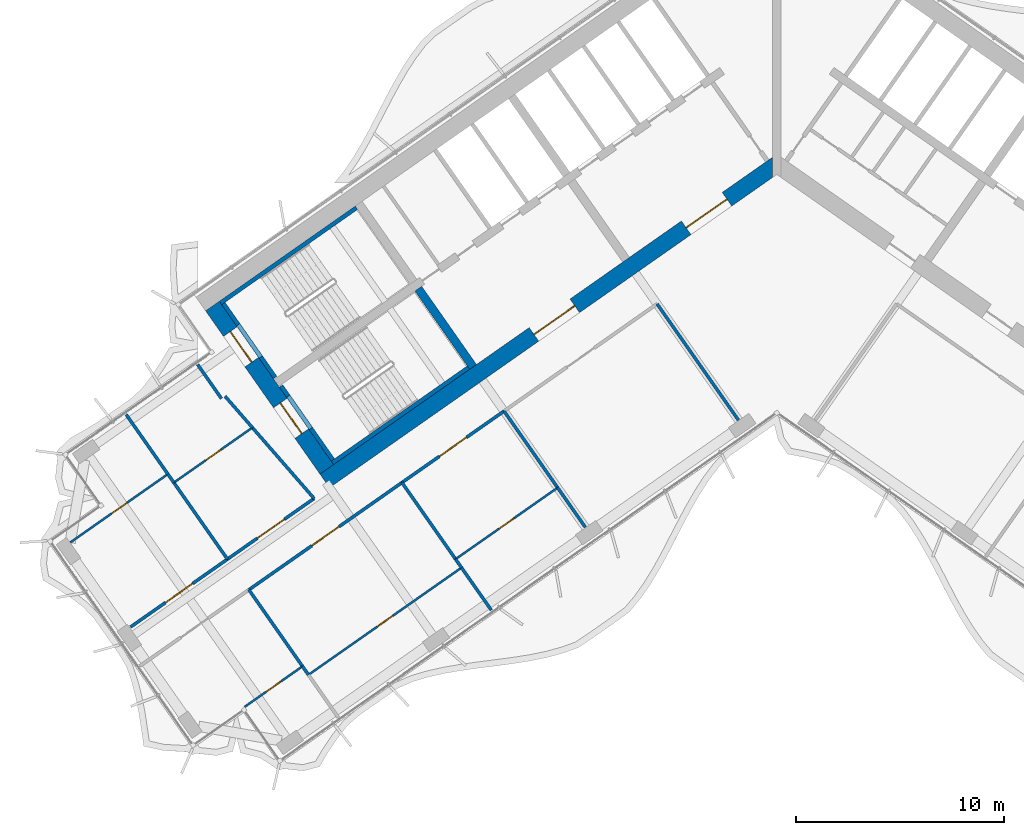
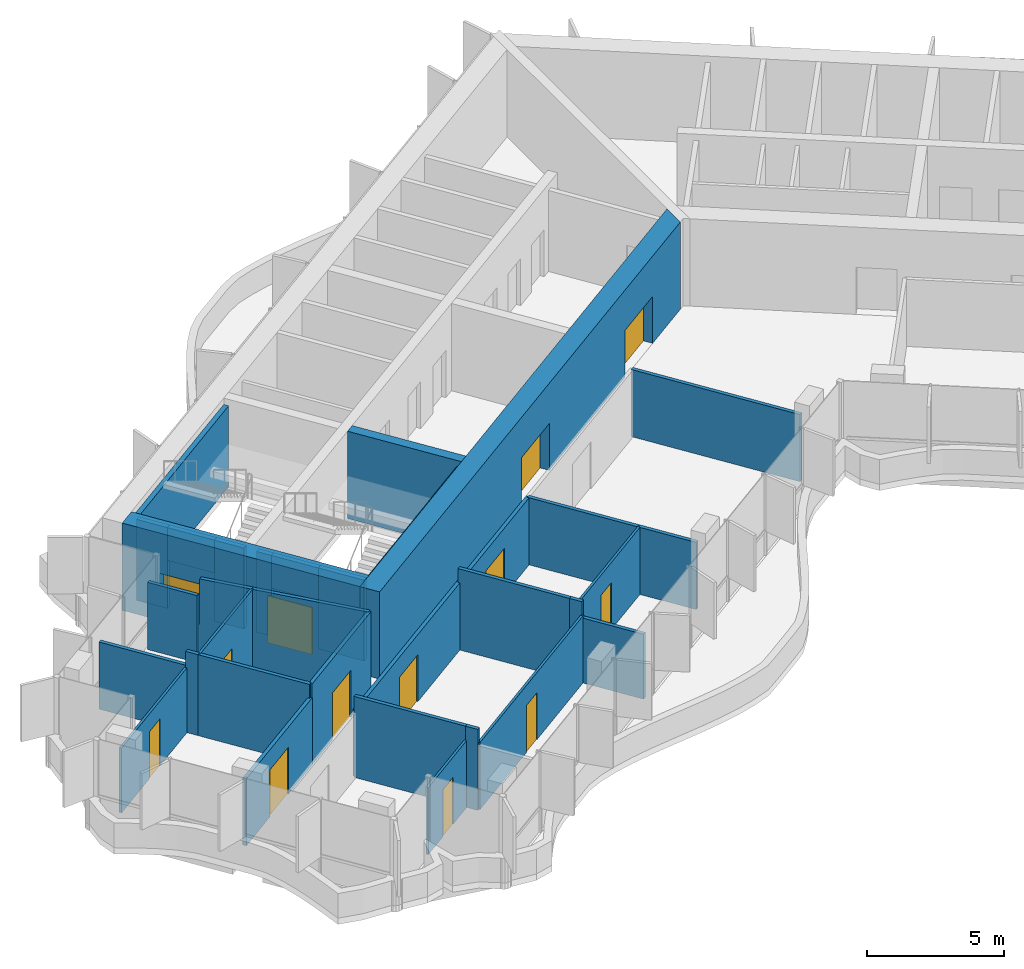
# One storey, part 12 of 21: 34 walls, 13 doors, 13 openings.
"""IFC4 building model written with IfcOpenShell, lengths in metres."""

from ifc_helpers import new_model, si_unit, direction, frame, frame_2d, origin, place, context, subcontext, project, spatial, polyline, rectangle, outline, extrude, material, layer, layer_set, type_object, element, fill, save


model = new_model("IFC4")

# Units and contexts
model_context = context("Model", 3, precision=1e-05, world=origin(), true_north=direction((0.0, 1.0)))
body_context = subcontext(model_context, "Body", "Model", "MODEL_VIEW")
ifc_project = project(units=[si_unit("LENGTHUNIT", "METRE"), si_unit("AREAUNIT", "SQUARE_METRE"), si_unit("VOLUMEUNIT", "CUBIC_METRE"), si_unit("PLANEANGLEUNIT", "RADIAN"), si_unit("MASSUNIT", "GRAM", prefix="KILO")], contexts=[model_context])

# Site, building, storey
site_placement = place(None, origin())
site = spatial("IfcSite", under=ifc_project, at=site_placement, CompositionType="ELEMENT")
building_placement = place(site_placement, origin())
building = spatial("IfcBuilding", under=site, at=building_placement, Name="Tel Ilan Convention Tower", CompositionType="ELEMENT")
storey_placement = place(building_placement, frame((0.0, 0.0, 206.10009765625)))
storey = spatial("IfcBuildingStorey", under=building, at=storey_placement, Name="L48", CompositionType="ELEMENT", Elevation=206.10009765625)

# Wall
ifc_material_1 = material(Name="Concrete C50/60", Category="concrete")
ifc_layer_1 = layer(ifc_material_1, 0.39990234375)
ifc_layer_set_1 = layer_set([ifc_layer_1], Name="Core Shear Wall 400 mm C50/60")
wall_type_1 = type_object("IfcWallType", Name="Core Shear Wall 400 mm C50/60", PredefinedType="SHEAR", material=ifc_layer_set_1)
wall_1_placement = place(storey_placement, frame((-14.6298828125, -10.48828125, 0.0), z_axis=(0.0, 0.0, 1.0), x_axis=(-0.573611936273, 0.819127185829, 0.0)))
element("IfcWall", 1, at=wall_1_placement, inside=storey, type_object=wall_type_1, Name="L48 core wall W-cross2-1", PredefinedType="SHEAR", context=body_context, shape_type="SweptSolid", body=[
    extrude(outline(polyline([(4.60009765625, 0.199951171875), (0.000244140625, 0.2001953125), (0.000244140625, -0.199951171875), (4.60009765625, -0.2001953125), (4.60009765625, 0.199951171875)])), origin(), (0.0, 0.0, 1.0), 3.89990234375),
])

# Wall, openings, doors
ifc_material_2 = material(Name="Concrete C50/60", Category="concrete")
ifc_layer_2 = layer(ifc_material_2, 0.800048828125)
ifc_layer_set_2 = layer_set([ifc_layer_2], Name="Core Shear Wall 800 mm C50/60")
wall_type_2 = type_object("IfcWallType", Name="Core Shear Wall 800 mm C50/60", PredefinedType="SHEAR", material=ifc_layer_set_2)
wall_2_placement = place(storey_placement, frame((0.029296875, -0.7119140625, 0.0), z_axis=(0.0, 0.0, 1.0), x_axis=(-0.819151758019, -0.573576845187, 0.0)))
wall_2 = element("IfcWall", 2, at=wall_2_placement, inside=storey, type_object=wall_type_2, Name="L48 core wall W-front", PredefinedType="SHEAR", context=body_context, shape_type="SweptSolid", body=[
    extrude(outline(polyline([(26.61572265625, 0.39990234375), (0.56005859375, 0.39990234375), (-0.000244140625, -0.39990234375), (26.61572265625, -0.39990234375), (26.61572265625, 0.39990234375)])), origin(), (0.0, 0.0, 1.0), 3.89990234375),
])
opening_1_placement = place(wall_2_placement, frame((2.9658203125, 0.0, 0.0)))
opening_1 = element("IfcOpeningElement", 3, at=opening_1_placement, cuts=wall_2, Name="Opening CD3805", PredefinedType="OPENING", context=body_context, shape_type="SweptSolid", body=[
    extrude(rectangle(XDim=2.39990234375, YDim=2.10009765625, at=frame_2d((1.199951171875, 1.050048828125))), frame((0.0, 0.409912109375, 0.0), z_axis=(0.0, -1.0, 0.0), x_axis=(1.0, 0.0, 0.0)), (0.0, 0.0, 1.0), 0.820068359375),
])
opening_2_placement = place(wall_2_placement, frame((11.915771484375, 0.0, 0.0)))
opening_2 = element("IfcOpeningElement", 4, at=opening_2_placement, cuts=wall_2, Name="Opening CD3806", PredefinedType="OPENING", context=body_context, shape_type="SweptSolid", body=[
    extrude(rectangle(XDim=2.39990234375, YDim=2.10009765625, at=frame_2d((1.199951171875, 1.050048828125))), frame((0.0, 0.409912109375, 0.0), z_axis=(0.0, -1.0, 0.0), x_axis=(1.0, 0.0, 0.0)), (0.0, 0.0, 1.0), 0.820068359375),
])
ifc_material_3 = material(Name="Glazed Aluminium Door Leaf", Category="aluminium")
door_type_1 = type_object("IfcDoorType", Name="Lobby Opening Door 2400 x 2100 FD60S", OperationType="NOTDEFINED", PredefinedType="DOOR", material=ifc_material_3)
door_1_placement = place(opening_1_placement, origin())
door_1 = element("IfcDoor", 5, at=door_1_placement, inside=storey, type_object=door_type_1, Name="Lift Lobby LR1-LR4 opening", OperationType="DOUBLE_DOOR_SINGLE_SWING", OverallHeight=2.10009765625, OverallWidth=2.39990234375, PredefinedType="DOOR", context=body_context, shape_type="SweptSolid", body=[
    extrude(rectangle(XDim=2.39990234375, YDim=2.10009765625, at=frame_2d((1.199951171875, 1.050048828125))), frame((0.0, 0.02490234375, 0.0), z_axis=(0.0, -1.0, 0.0), x_axis=(1.0, 0.0, 0.0)), (0.0, 0.0, 1.0), 0.050048828125),
])
fill(opening_1, door_1)
door_2_placement = place(opening_2_placement, origin())
door_2 = element("IfcDoor", 6, at=door_2_placement, inside=storey, type_object=door_type_1, Name="Lift Lobby LR5-LR6 opening", OperationType="DOUBLE_DOOR_SINGLE_SWING", OverallHeight=2.10009765625, OverallWidth=2.39990234375, PredefinedType="DOOR", context=body_context, shape_type="SweptSolid", body=[
    extrude(rectangle(XDim=2.39990234375, YDim=2.10009765625, at=frame_2d((1.199951171875, 1.050048828125))), frame((0.0, 0.02490234375, 0.0), z_axis=(0.0, -1.0, 0.0), x_axis=(1.0, 0.0, 0.0)), (0.0, 0.0, 1.0), 0.050048828125),
])
fill(opening_2, door_2)

wall_3_placement = place(storey_placement, frame((-21.6748046875, -15.4208984375, 0.0), z_axis=(0.0, 0.0, 1.0), x_axis=(-0.573581815061, 0.819148278049, 0.0)))
wall_3 = element("IfcWall", 7, at=wall_3_placement, inside=storey, type_object=wall_type_2, Name="L48 core wall W-end", PredefinedType="SHEAR", context=body_context, shape_type="SweptSolid", body=[
    extrude(outline(polyline([(0.0, 0.39990234375), (0.0, -0.39990234375), (9.599853515625, -0.400146484375), (9.599853515625, 0.39990234375), (0.0, 0.39990234375)])), origin(), (0.0, 0.0, 1.0), 3.89990234375),
])
opening_3_placement = place(wall_3_placement, frame((6.300048828125, 0.0, 0.0)))
opening_3 = element("IfcOpeningElement", 8, at=opening_3_placement, cuts=wall_3, Name="Opening SD3801", PredefinedType="OPENING", context=body_context, shape_type="SweptSolid", body=[
    extrude(rectangle(XDim=1.800048828125, YDim=2.10009765625, at=frame_2d((0.89990234375, 1.050048828125))), frame((0.0, 0.409912109375, 0.0), z_axis=(0.0, -1.0, 0.0), x_axis=(1.0, 0.0, 0.0)), (0.0, 0.0, 1.0), 0.820068359375),
])
opening_4_placement = place(wall_3_placement, frame((2.10009765625, 0.0, 0.0)))
opening_4 = element("IfcOpeningElement", 9, at=opening_4_placement, cuts=wall_3, Name="Opening SD3802", PredefinedType="OPENING", context=body_context, shape_type="SweptSolid", body=[
    extrude(rectangle(XDim=1.800048828125, YDim=2.10009765625, at=frame_2d((0.89990234375, 1.050048828125))), frame((0.0, 0.409912109375, 0.0), z_axis=(0.0, -1.0, 0.0), x_axis=(1.0, 0.0, 0.0)), (0.0, 0.0, 1.0), 0.820068359375),
])
ifc_material_4 = material(Name="Galvanised Steel Door Leaf", Category="steel")
door_type_2 = type_object("IfcDoorType", Name="Stair Fire Door 1800 x 2100 FD60S", OperationType="NOTDEFINED", PredefinedType="DOOR", material=ifc_material_4)
door_3_placement = place(opening_3_placement, origin())
door_3 = element("IfcDoor", 10, at=door_3_placement, inside=storey, type_object=door_type_2, Name="Stair S1 door", OperationType="DOUBLE_DOOR_SINGLE_SWING", OverallHeight=2.10009765625, OverallWidth=1.800048828125, PredefinedType="DOOR", context=body_context, shape_type="SweptSolid", body=[
    extrude(rectangle(XDim=1.800048828125, YDim=2.10009765625, at=frame_2d((0.89990234375, 1.050048828125))), frame((0.0, 0.02490234375, 0.0), z_axis=(0.0, -1.0, 0.0), x_axis=(1.0, 0.0, 0.0)), (0.0, 0.0, 1.0), 0.050048828125),
])
fill(opening_3, door_3)
door_4_placement = place(opening_4_placement, origin())
door_4 = element("IfcDoor", 11, at=door_4_placement, inside=storey, type_object=door_type_2, Name="Stair S2 door", OperationType="DOUBLE_DOOR_SINGLE_SWING", OverallHeight=2.10009765625, OverallWidth=1.800048828125, PredefinedType="DOOR", context=body_context, shape_type="SweptSolid", body=[
    extrude(rectangle(XDim=1.800048828125, YDim=2.10009765625, at=frame_2d((0.89990234375, 1.050048828125))), frame((0.0, 0.02490234375, 0.0), z_axis=(0.0, -1.0, 0.0), x_axis=(1.0, 0.0, 0.0)), (0.0, 0.0, 1.0), 0.050048828125),
])
fill(opening_4, door_4)

# Wall, opening, door
ifc_material_5 = material(Name="Plasterboard on Steel Studs", Category="steel")
ifc_layer_3 = layer(ifc_material_5, 0.14990234375)
ifc_layer_set_3 = layer_set([ifc_layer_3], Name="Fire-rated Partition 150 EI 60")
wall_type_3 = type_object("IfcWallType", Name="Fire-rated Partition 150 EI 60", PredefinedType="PARTITIONING", material=ifc_layer_set_3)
wall_4_placement = place(storey_placement, frame((-26.460205078125, -19.748291015625, 0.0), z_axis=(0.0, 0.0, 1.0), x_axis=(0.819171182807, 0.573549102744, 0.0)))
wall_4 = element("IfcWall", 12, at=wall_4_placement, inside=storey, type_object=wall_type_3, Name="Partition 008", PredefinedType="PARTITIONING", context=body_context, shape_type="SweptSolid", body=[
    extrude(rectangle(XDim=5.09912109375, YDim=0.14990234375, at=frame_2d((2.549560546875, 0.0))), origin(), (0.0, 0.0, 1.0), 3.619873046875),
])
opening_5_placement = place(wall_4_placement, frame((1.74951171875, 0.0, 0.0)))
opening_5 = element("IfcOpeningElement", 13, at=opening_5_placement, cuts=wall_4, Name="Opening L48-008", PredefinedType="OPENING", context=body_context, shape_type="SweptSolid", body=[
    extrude(rectangle(XDim=1.60009765625, YDim=2.10009765625, at=frame_2d((0.800048828125, 1.050048828125))), frame((0.0, 0.0849609375, 0.0), z_axis=(0.0, -1.0, 0.0), x_axis=(1.0, 0.0, 0.0)), (0.0, 0.0, 1.0), 0.169921875),
])
ifc_material_6 = material(Name="Timber Door Leaf in Steel Frame", Category="steel")
door_type_3 = type_object("IfcDoorType", Name="Tenant Suite Entrance Fire Door 1600x2100", OperationType="NOTDEFINED", PredefinedType="DOOR", material=ifc_material_6)
door_5_placement = place(opening_5_placement, origin())
door_5 = element("IfcDoor", 14, at=door_5_placement, inside=storey, type_object=door_type_3, Name="Door L48-008", OperationType="DOUBLE_DOOR_SINGLE_SWING", OverallHeight=2.10009765625, OverallWidth=1.60009765625, PredefinedType="DOOR", context=body_context, shape_type="SweptSolid", body=[
    extrude(rectangle(XDim=1.60009765625, YDim=2.10009765625, at=frame_2d((0.800048828125, 1.050048828125))), frame((0.0, 0.02490234375, 0.0), z_axis=(0.0, -1.0, 0.0), x_axis=(1.0, 0.0, 0.0)), (0.0, 0.0, 1.0), 0.050048828125),
])
fill(opening_5, door_5)

wall_5_placement = place(storey_placement, frame((-31.127685546875, -23.0166015625, 0.0), z_axis=(0.0, 0.0, 1.0), x_axis=(0.819159500015, 0.573565788323, 0.0)))
wall_5 = element("IfcWall", 15, at=wall_5_placement, inside=storey, type_object=wall_type_3, Name="Partition 009", PredefinedType="PARTITIONING", context=body_context, shape_type="SweptSolid", body=[
    extrude(rectangle(XDim=5.7021484375, YDim=0.14990234375, at=frame_2d((2.85107421875, 0.0))), origin(), (0.0, 0.0, 1.0), 3.0),
])
opening_6_placement = place(wall_5_placement, frame((2.051025390625, 0.0, 0.0)))
opening_6 = element("IfcOpeningElement", 16, at=opening_6_placement, cuts=wall_5, Name="Opening L48-010", PredefinedType="OPENING", context=body_context, shape_type="SweptSolid", body=[
    extrude(rectangle(XDim=1.60009765625, YDim=2.10009765625, at=frame_2d((0.800048828125, 1.050048828125))), frame((0.0, 0.0849609375, 0.0), z_axis=(0.0, -1.0, 0.0), x_axis=(1.0, 0.0, 0.0)), (0.0, 0.0, 1.0), 0.169921875),
])
door_6_placement = place(opening_6_placement, origin())
door_6 = element("IfcDoor", 17, at=door_6_placement, inside=storey, type_object=door_type_3, Name="Door L48-010", OperationType="DOUBLE_DOOR_SINGLE_SWING", OverallHeight=2.10009765625, OverallWidth=1.60009765625, PredefinedType="DOOR", context=body_context, shape_type="SweptSolid", body=[
    extrude(rectangle(XDim=1.60009765625, YDim=2.10009765625, at=frame_2d((0.800048828125, 1.050048828125))), frame((0.0, 0.02490234375, 0.0), z_axis=(0.0, -1.0, 0.0), x_axis=(1.0, 0.0, 0.0)), (0.0, 0.0, 1.0), 0.050048828125),
])
fill(opening_6, door_6)

wall_6_placement = place(storey_placement, frame((-13.13720703125, -12.616943359375, 0.0), z_axis=(0.0, 0.0, 1.0), x_axis=(-0.819165052243, -0.573557858619, 0.0)))
wall_6 = element("IfcWall", 18, at=wall_6_placement, inside=storey, type_object=wall_type_3, Name="Partition 011", PredefinedType="PARTITIONING", context=body_context, shape_type="SweptSolid", body=[
    extrude(rectangle(XDim=6.00390625, YDim=0.14990234375, at=frame_2d((3.001953125, 0.0))), origin(), (0.0, 0.0, 1.0), 3.0),
])
opening_7_placement = place(wall_6_placement, frame((2.201904296875, 0.0, 0.0)))
opening_7 = element("IfcOpeningElement", 19, at=opening_7_placement, cuts=wall_6, Name="Opening L48-002", PredefinedType="OPENING", context=body_context, shape_type="SweptSolid", body=[
    extrude(rectangle(XDim=1.60009765625, YDim=2.10009765625, at=frame_2d((0.800048828125, 1.050048828125))), frame((0.0, 0.0849609375, 0.0), z_axis=(0.0, -1.0, 0.0), x_axis=(1.0, 0.0, 0.0)), (0.0, 0.0, 1.0), 0.169921875),
])
door_7_placement = place(opening_7_placement, origin())
door_7 = element("IfcDoor", 20, at=door_7_placement, inside=storey, type_object=door_type_3, Name="Door L48-002", OperationType="DOUBLE_DOOR_SINGLE_SWING", OverallHeight=2.10009765625, OverallWidth=1.60009765625, PredefinedType="DOOR", context=body_context, shape_type="SweptSolid", body=[
    extrude(rectangle(XDim=1.60009765625, YDim=2.10009765625, at=frame_2d((0.800048828125, 1.050048828125))), frame((0.0, 0.02490234375, 0.0), z_axis=(0.0, -1.0, 0.0), x_axis=(1.0, 0.0, 0.0)), (0.0, 0.0, 1.0), 0.050048828125),
])
fill(opening_7, door_7)

wall_7_placement = place(storey_placement, frame((-18.052001953125, -16.058349609375, 0.0), z_axis=(0.0, 0.0, 1.0), x_axis=(-0.819142740634, -0.573589723117, 0.0)))
wall_7 = element("IfcWall", 21, at=wall_7_placement, inside=storey, type_object=wall_type_3, Name="Partition 012", PredefinedType="PARTITIONING", context=body_context, shape_type="SweptSolid", body=[
    extrude(rectangle(XDim=9.00390625, YDim=0.14990234375, at=frame_2d((4.501953125, 0.0))), origin(), (0.0, 0.0, 1.0), 3.0),
])
opening_8_placement = place(wall_7_placement, frame((3.701904296875, 0.0, 0.0)))
opening_8 = element("IfcOpeningElement", 22, at=opening_8_placement, cuts=wall_7, Name="Opening L48-004", PredefinedType="OPENING", context=body_context, shape_type="SweptSolid", body=[
    extrude(rectangle(XDim=1.60009765625, YDim=2.10009765625, at=frame_2d((0.800048828125, 1.050048828125))), frame((0.0, 0.0849609375, 0.0), z_axis=(0.0, -1.0, 0.0), x_axis=(1.0, 0.0, 0.0)), (0.0, 0.0, 1.0), 0.169921875),
])
door_8_placement = place(opening_8_placement, origin())
door_8 = element("IfcDoor", 23, at=door_8_placement, inside=storey, type_object=door_type_3, Name="Door L48-004", OperationType="DOUBLE_DOOR_SINGLE_SWING", OverallHeight=2.10009765625, OverallWidth=1.60009765625, PredefinedType="DOOR", context=body_context, shape_type="SweptSolid", body=[
    extrude(rectangle(XDim=1.60009765625, YDim=2.10009765625, at=frame_2d((0.800048828125, 1.050048828125))), frame((0.0, 0.02490234375, 0.0), z_axis=(0.0, -1.0, 0.0), x_axis=(1.0, 0.0, 0.0)), (0.0, 0.0, 1.0), 0.050048828125),
])
fill(opening_8, door_8)

# Walls
wall_8_placement = place(storey_placement, frame((-1.848876953125, -13.050537109375, 0.0), z_axis=(0.0, 0.0, 1.0), x_axis=(-0.57357985571, 0.819149650018, 0.0)))
element("IfcWall", 24, at=wall_8_placement, inside=storey, type_object=wall_type_3, Name="Partition 033", PredefinedType="PARTITIONING", context=body_context, shape_type="SweptSolid", body=[
    extrude(rectangle(XDim=6.83203125, YDim=0.14990234375, at=frame_2d((3.416015625, 0.0))), origin(), (0.0, 0.0, 1.0), 3.0),
])
wall_9_placement = place(storey_placement, frame((-26.74609375, -12.013671875, 0.0), z_axis=(0.0, 0.0, 1.0), x_axis=(-0.573568836472, 0.819157365729, 0.0)))
element("IfcWall", 25, at=wall_9_placement, inside=storey, type_object=wall_type_3, Name="Partition 034", PredefinedType="PARTITIONING", context=body_context, shape_type="SweptSolid", body=[
    extrude(rectangle(XDim=2.000244140625, YDim=0.14990234375, at=frame_2d((1.0, 0.0))), origin(), (0.0, 0.0, 1.0), 3.0),
])
wall_10_placement = place(storey_placement, frame((-25.25634765625, -13.4130859375, 0.0), z_axis=(0.0, 0.0, 1.0), x_axis=(-0.656776293518, 0.75408547279, 0.0)))
element("IfcWall", 26, at=wall_10_placement, inside=storey, type_object=wall_type_3, Name="Partition 035", PredefinedType="PARTITIONING", context=body_context, shape_type="SweptSolid", body=[
    extrude(rectangle(XDim=2.01220703125, YDim=0.14990234375, at=frame_2d((1.006103515625, 0.0))), origin(), (0.0, 0.0, 1.0), 3.619873046875),
])
wall_11_placement = place(storey_placement, frame((-22.28369140625, -16.826416015625, 0.0), z_axis=(0.0, 0.0, 1.0), x_axis=(-0.656755036803, 0.754103985955, 0.0)))
element("IfcWall", 27, at=wall_11_placement, inside=storey, type_object=wall_type_3, Name="Partition 036", PredefinedType="PARTITIONING", context=body_context, shape_type="SweptSolid", body=[
    extrude(rectangle(XDim=4.529296875, YDim=0.14990234375, at=frame_2d((2.2646484375, 0.0))), origin(), (0.0, 0.0, 1.0), 3.619873046875),
])
wall_12_placement = place(storey_placement, frame((-29.32568359375, -15.652099609375, 0.0), z_axis=(0.0, 0.0, 1.0), x_axis=(-0.573593387921, 0.81914017441, 0.0)))
element("IfcWall", 28, at=wall_12_placement, inside=storey, type_object=wall_type_3, Name="Partition 038", PredefinedType="PARTITIONING", context=body_context, shape_type="SweptSolid", body=[
    extrude(rectangle(XDim=3.500732421875, YDim=0.14990234375, at=frame_2d((1.75048828125, 0.0))), origin(), (0.0, 0.0, 1.0), 3.0),
])
wall_13_placement = place(storey_placement, frame((-29.0400390625, -16.060302734375, 0.0), z_axis=(0.0, 0.0, 1.0), x_axis=(-0.573560455774, 0.819163233777, 0.0)))
element("IfcWall", 29, at=wall_13_placement, inside=storey, type_object=wall_type_3, Name="Partition 039", PredefinedType="PARTITIONING", context=body_context, shape_type="SweptSolid", body=[
    extrude(rectangle(XDim=0.5009765625, YDim=0.14990234375, at=frame_2d((0.25048828125, 0.0))), origin(), (0.0, 0.0, 1.0), 3.619873046875),
])
wall_14_placement = place(storey_placement, frame((-26.45849609375, -19.747314453125, 0.0), z_axis=(0.0, 0.0, 1.0), x_axis=(-0.573560650686, 0.819163097304, 0.0)))
element("IfcWall", 30, at=wall_14_placement, inside=storey, type_object=wall_type_3, Name="Partition 040", PredefinedType="PARTITIONING", context=body_context, shape_type="SweptSolid", body=[
    extrude(rectangle(XDim=4.5, YDim=0.14990234375, at=frame_2d((2.25, 0.0))), origin(), (0.0, 0.0, 1.0), 3.619873046875),
])
wall_15_placement = place(storey_placement, frame((-9.22119140625, -18.212890625, 0.0), z_axis=(0.0, 0.0, 1.0), x_axis=(-0.573553724287, 0.819167946978, 0.0)))
element("IfcWall", 31, at=wall_15_placement, inside=storey, type_object=wall_type_3, Name="Partition 042", PredefinedType="PARTITIONING", context=body_context, shape_type="SweptSolid", body=[
    extrude(rectangle(XDim=2.330810546875, YDim=0.14990234375, at=frame_2d((1.16552734375, 0.0))), origin(), (0.0, 0.0, 1.0), 3.0),
])
wall_16_placement = place(storey_placement, frame((-10.556396484375, -16.305908203125, 0.0), z_axis=(0.0, 0.0, 1.0), x_axis=(-0.573564243949, 0.819160581365, 0.0)))
element("IfcWall", 32, at=wall_16_placement, inside=storey, type_object=wall_type_3, Name="Partition 043", PredefinedType="PARTITIONING", context=body_context, shape_type="SweptSolid", body=[
    extrude(rectangle(XDim=4.502197265625, YDim=0.14990234375, at=frame_2d((2.2509765625, 0.0))), origin(), (0.0, 0.0, 1.0), 3.0),
])
wall_17_placement = place(storey_placement, frame((-13.751708984375, -22.203125, 0.0), z_axis=(0.0, 0.0, 1.0), x_axis=(-0.57356715775, 0.819158541157, 0.0)))
element("IfcWall", 33, at=wall_17_placement, inside=storey, type_object=wall_type_3, Name="Partition 045", PredefinedType="PARTITIONING", context=body_context, shape_type="SweptSolid", body=[
    extrude(rectangle(XDim=2.501220703125, YDim=0.14990234375, at=frame_2d((1.25048828125, 0.0))), origin(), (0.0, 0.0, 1.0), 2.89990234375),
])
wall_18_placement = place(storey_placement, frame((-15.1845703125, -20.156982421875, 0.0), z_axis=(0.0, 0.0, 1.0), x_axis=(-0.573560455774, 0.819163233777, 0.0)))
element("IfcWall", 34, at=wall_18_placement, inside=storey, type_object=wall_type_3, Name="Partition 046", PredefinedType="PARTITIONING", context=body_context, shape_type="SweptSolid", body=[
    extrude(rectangle(XDim=0.5009765625, YDim=0.14990234375, at=frame_2d((0.25048828125, 0.0))), origin(), (0.0, 0.0, 1.0), 3.619873046875),
])
wall_19_placement = place(storey_placement, frame((-15.472412109375, -19.74560546875, 0.0), z_axis=(0.0, 0.0, 1.0), x_axis=(-0.573622545156, 0.819119756622, 0.0)))
element("IfcWall", 35, at=wall_19_placement, inside=storey, type_object=wall_type_3, Name="Partition 047", PredefinedType="PARTITIONING", context=body_context, shape_type="SweptSolid", body=[
    extrude(rectangle(XDim=4.5, YDim=0.14990234375, at=frame_2d((2.25, 0.0))), origin(), (0.0, 0.0, 1.0), 3.619873046875),
])
wall_20_placement = place(storey_placement, frame((-22.55810546875, -25.3173828125, 0.0), z_axis=(0.0, 0.0, 1.0), x_axis=(-0.573560455774, 0.819163233777, 0.0)))
element("IfcWall", 36, at=wall_20_placement, inside=storey, type_object=wall_type_3, Name="Partition 050", PredefinedType="PARTITIONING", context=body_context, shape_type="SweptSolid", body=[
    extrude(rectangle(XDim=0.5009765625, YDim=0.14990234375, at=frame_2d((0.25048828125, 0.0))), origin(), (0.0, 0.0, 1.0), 3.619873046875),
])
wall_21_placement = place(storey_placement, frame((-22.84375, -24.909423828125, 0.0), z_axis=(0.0, 0.0, 1.0), x_axis=(-0.573589723117, 0.819142740634, 0.0)))
element("IfcWall", 37, at=wall_21_placement, inside=storey, type_object=wall_type_3, Name="Partition 051", PredefinedType="PARTITIONING", context=body_context, shape_type="SweptSolid", body=[
    extrude(rectangle(XDim=4.501953125, YDim=0.14990234375, at=frame_2d((2.2509765625, 0.0))), origin(), (0.0, 0.0, 1.0), 3.619873046875),
])

# Wall, opening, door
ifc_material_7 = material(Name="Plasterboard on Steel Studs", Category="steel")
ifc_layer_4 = layer(ifc_material_7, 0.10009765625)
ifc_layer_set_4 = layer_set([ifc_layer_4], Name="Plasterboard Partition 100")
wall_type_4 = type_object("IfcWallType", Name="Plasterboard Partition 100", PredefinedType="PARTITIONING", material=ifc_layer_set_4)
wall_22_placement = place(storey_placement, frame((-29.0400390625, -16.060302734375, 0.0), z_axis=(0.0, 0.0, 1.0), x_axis=(0.819135037256, 0.573600724145, 0.0)))
wall_22 = element("IfcWall", 38, at=wall_22_placement, inside=storey, type_object=wall_type_4, Name="Partition 037", PredefinedType="PARTITIONING", context=body_context, shape_type="SweptSolid", body=[
    extrude(rectangle(XDim=4.61767578125, YDim=0.10009765625, at=frame_2d((2.308837890625, 0.0))), origin(), (0.0, 0.0, 1.0), 3.619873046875),
])
opening_9_placement = place(wall_22_placement, frame((1.85888671875, 0.0, 0.0)))
opening_9 = element("IfcOpeningElement", 39, at=opening_9_placement, cuts=wall_22, Name="Opening L48-009", PredefinedType="OPENING", context=body_context, shape_type="SweptSolid", body=[
    extrude(rectangle(XDim=0.89990234375, YDim=2.10009765625, at=frame_2d((0.449951171875, 1.050048828125))), frame((0.0, 0.06005859375, 0.0), z_axis=(0.0, -1.0, 0.0), x_axis=(1.0, 0.0, 0.0)), (0.0, 0.0, 1.0), 0.1201171875),
])
ifc_material_8 = material(Name="Timber Door Leaf in Steel Frame", Category="steel")
door_type_4 = type_object("IfcDoorType", Name="Room Timber Door 900x2100", OperationType="NOTDEFINED", PredefinedType="DOOR", material=ifc_material_8)
door_9_placement = place(opening_9_placement, origin())
door_9 = element("IfcDoor", 40, at=door_9_placement, inside=storey, type_object=door_type_4, Name="Door L48-009", OperationType="SINGLE_SWING_RIGHT", OverallHeight=2.10009765625, OverallWidth=0.89990234375, PredefinedType="DOOR", context=body_context, shape_type="SweptSolid", body=[
    extrude(rectangle(XDim=0.89990234375, YDim=2.10009765625, at=frame_2d((0.449951171875, 1.050048828125))), frame((0.0, 0.02490234375, 0.0), z_axis=(0.0, -1.0, 0.0), x_axis=(1.0, 0.0, 0.0)), (0.0, 0.0, 1.0), 0.050048828125),
])
fill(opening_9, door_9)

wall_23_placement = place(storey_placement, frame((-34.0205078125, -18.937255859375, 0.0), z_axis=(0.0, 0.0, 1.0), x_axis=(0.819141832764, 0.573591019644, 0.0)))
wall_23 = element("IfcWall", 41, at=wall_23_placement, inside=storey, type_object=wall_type_4, Name="Partition 041", PredefinedType="PARTITIONING", context=body_context, shape_type="SweptSolid", body=[
    extrude(rectangle(XDim=5.72998046875, YDim=0.10009765625, at=frame_2d((2.864990234375, 0.0))), origin(), (0.0, 0.0, 1.0), 2.89990234375),
])
opening_10_placement = place(wall_23_placement, frame((2.4150390625, 0.0, 0.0)))
opening_10 = element("IfcOpeningElement", 42, at=opening_10_placement, cuts=wall_23, Name="Opening L48-011", PredefinedType="OPENING", context=body_context, shape_type="SweptSolid", body=[
    extrude(rectangle(XDim=0.89990234375, YDim=2.10009765625, at=frame_2d((0.449951171875, 1.050048828125))), frame((0.0, 0.06005859375, 0.0), z_axis=(0.0, -1.0, 0.0), x_axis=(1.0, 0.0, 0.0)), (0.0, 0.0, 1.0), 0.1201171875),
])
door_10_placement = place(opening_10_placement, origin())
door_10 = element("IfcDoor", 43, at=door_10_placement, inside=storey, type_object=door_type_4, Name="Door L48-011", OperationType="SINGLE_SWING_RIGHT", OverallHeight=2.10009765625, OverallWidth=0.89990234375, PredefinedType="DOOR", context=body_context, shape_type="SweptSolid", body=[
    extrude(rectangle(XDim=0.89990234375, YDim=2.10009765625, at=frame_2d((0.449951171875, 1.050048828125))), frame((0.0, 0.02490234375, 0.0), z_axis=(0.0, -1.0, 0.0), x_axis=(1.0, 0.0, 0.0)), (0.0, 0.0, 1.0), 0.050048828125),
])
fill(opening_10, door_10)

wall_24_placement = place(storey_placement, frame((-10.55712890625, -16.304931640625, 0.0), z_axis=(0.0, 0.0, 1.0), x_axis=(-0.819130592339, -0.573607071691, 0.0)))
wall_24 = element("IfcWall", 44, at=wall_24_placement, inside=storey, type_object=wall_type_4, Name="Partition 044", PredefinedType="PARTITIONING", context=body_context, shape_type="SweptSolid", body=[
    extrude(rectangle(XDim=6.0, YDim=0.10009765625, at=frame_2d((3.0, 0.0))), origin(), (0.0, 0.0, 1.0), 3.0),
])
opening_11_placement = place(wall_24_placement, frame((2.550048828125, 0.0, 0.0)))
opening_11 = element("IfcOpeningElement", 45, at=opening_11_placement, cuts=wall_24, Name="Opening L48-003", PredefinedType="OPENING", context=body_context, shape_type="SweptSolid", body=[
    extrude(rectangle(XDim=0.89990234375, YDim=2.10009765625, at=frame_2d((0.449951171875, 1.050048828125))), frame((0.0, 0.06005859375, 0.0), z_axis=(0.0, -1.0, 0.0), x_axis=(1.0, 0.0, 0.0)), (0.0, 0.0, 1.0), 0.1201171875),
])
door_11_placement = place(opening_11_placement, origin())
door_11 = element("IfcDoor", 46, at=door_11_placement, inside=storey, type_object=door_type_4, Name="Door L48-003", OperationType="SINGLE_SWING_LEFT", OverallHeight=2.10009765625, OverallWidth=0.89990234375, PredefinedType="DOOR", context=body_context, shape_type="SweptSolid", body=[
    extrude(rectangle(XDim=0.89990234375, YDim=2.10009765625, at=frame_2d((0.449951171875, 1.050048828125))), frame((0.0, 0.02490234375, 0.0), z_axis=(0.0, -1.0, 0.0), x_axis=(1.0, 0.0, 0.0)), (0.0, 0.0, 1.0), 0.050048828125),
])
fill(opening_11, door_11)

wall_25_placement = place(storey_placement, frame((-15.185302734375, -20.156005859375, 0.0), z_axis=(0.0, 0.0, 1.0), x_axis=(-0.819154173185, -0.573573395961, 0.0)))
wall_25 = element("IfcWall", 47, at=wall_25_placement, inside=storey, type_object=wall_type_4, Name="Partition 048", PredefinedType="PARTITIONING", context=body_context, shape_type="SweptSolid", body=[
    extrude(rectangle(XDim=9.0, YDim=0.10009765625, at=frame_2d((4.5, 0.0))), origin(), (0.0, 0.0, 1.0), 3.0),
])
opening_12_placement = place(wall_25_placement, frame((4.050048828125, 0.0, 0.0)))
opening_12 = element("IfcOpeningElement", 48, at=opening_12_placement, cuts=wall_25, Name="Opening L48-005", PredefinedType="OPENING", context=body_context, shape_type="SweptSolid", body=[
    extrude(rectangle(XDim=0.89990234375, YDim=2.10009765625, at=frame_2d((0.449951171875, 1.050048828125))), frame((0.0, 0.06005859375, 0.0), z_axis=(0.0, -1.0, 0.0), x_axis=(1.0, 0.0, 0.0)), (0.0, 0.0, 1.0), 0.1201171875),
])
door_12_placement = place(opening_12_placement, origin())
door_12 = element("IfcDoor", 49, at=door_12_placement, inside=storey, type_object=door_type_4, Name="Door L48-005", OperationType="SINGLE_SWING_RIGHT", OverallHeight=2.10009765625, OverallWidth=0.89990234375, PredefinedType="DOOR", context=body_context, shape_type="SweptSolid", body=[
    extrude(rectangle(XDim=0.89990234375, YDim=2.10009765625, at=frame_2d((0.449951171875, 1.050048828125))), frame((0.0, 0.02490234375, 0.0), z_axis=(0.0, -1.0, 0.0), x_axis=(1.0, 0.0, 0.0)), (0.0, 0.0, 1.0), 0.050048828125),
])
fill(opening_12, door_12)

wall_26_placement = place(storey_placement, frame((-22.84423828125, -24.90869140625, 0.0), z_axis=(0.0, 0.0, 1.0), x_axis=(-0.819150951061, -0.57357799764, 0.0)))
wall_26 = element("IfcWall", 50, at=wall_26_placement, inside=storey, type_object=wall_type_4, Name="Partition 052", PredefinedType="PARTITIONING", context=body_context, shape_type="SweptSolid", body=[
    extrude(rectangle(XDim=3.400146484375, YDim=0.10009765625, at=frame_2d((1.7001953125, 0.0))), origin(), (0.0, 0.0, 1.0), 3.0),
])
opening_13_placement = place(wall_26_placement, frame((1.25, 0.0, 0.0)))
opening_13 = element("IfcOpeningElement", 51, at=opening_13_placement, cuts=wall_26, Name="Opening L48-007", PredefinedType="OPENING", context=body_context, shape_type="SweptSolid", body=[
    extrude(rectangle(XDim=0.89990234375, YDim=2.10009765625, at=frame_2d((0.449951171875, 1.050048828125))), frame((0.0, 0.06005859375, 0.0), z_axis=(0.0, -1.0, 0.0), x_axis=(1.0, 0.0, 0.0)), (0.0, 0.0, 1.0), 0.1201171875),
])
door_13_placement = place(opening_13_placement, origin())
door_13 = element("IfcDoor", 52, at=door_13_placement, inside=storey, type_object=door_type_4, Name="Door L48-007", OperationType="SINGLE_SWING_RIGHT", OverallHeight=2.10009765625, OverallWidth=0.89990234375, PredefinedType="DOOR", context=body_context, shape_type="SweptSolid", body=[
    extrude(rectangle(XDim=0.89990234375, YDim=2.10009765625, at=frame_2d((0.449951171875, 1.050048828125))), frame((0.0, 0.02490234375, 0.0), z_axis=(0.0, -1.0, 0.0), x_axis=(1.0, 0.0, 0.0)), (0.0, 0.0, 1.0), 0.050048828125),
])
fill(opening_13, door_13)

# Walls
ifc_material_9 = material(Name="Concrete C30/37", Category="concrete")
ifc_layer_5 = layer(ifc_material_9, 0.199951171875)
ifc_layer_set_5 = layer_set([ifc_layer_5], Name="Stair and Shaft Lining Wall 200 mm C30/37")
wall_type_5 = type_object("IfcWallType", Name="Stair and Shaft Lining Wall 200 mm C30/37", PredefinedType="SOLIDWALL", material=ifc_layer_set_5)
wall_27_placement = place(storey_placement, frame((-20.242919921875, -2.821044921875, 0.0), z_axis=(0.0, 0.0, 1.0), x_axis=(-0.819141584393, -0.57359137434, 0.0)))
element("IfcWall", 53, at=wall_27_placement, inside=storey, type_object=wall_type_5, Name="L48 core wall lining-S1-t1", PredefinedType="SOLIDWALL", context=body_context, shape_type="SweptSolid", body=[
    extrude(rectangle(XDim=7.999755859375, YDim=0.199951171875, at=frame_2d((4.0, 0.0))), origin(), (0.0, 0.0, 1.0), 3.619873046875),
])
wall_28_placement = place(storey_placement, frame((-24.16162109375, -10.99755859375, 0.0), z_axis=(0.0, 0.0, 1.0), x_axis=(-0.573612502218, 0.819126789514, 0.0)))
element("IfcWall", 54, at=wall_28_placement, inside=storey, type_object=wall_type_5, Name="L48 core wall lining-S1-u1-0", PredefinedType="SOLIDWALL", context=body_context, shape_type="SweptSolid", body=[
    extrude(rectangle(XDim=1.2001953125, YDim=0.199951171875, at=frame_2d((0.60009765625, 0.0))), origin(), (0.0, 0.0, 1.0), 3.619873046875),
])
wall_29_placement = place(storey_placement, frame((-25.939697265625, -8.4580078125, 0.0), z_axis=(0.0, 0.0, 1.0), x_axis=(-0.573619628835, 0.819121798889, 0.0)))
element("IfcWall", 55, at=wall_29_placement, inside=storey, type_object=wall_type_5, Name="L48 core wall lining-S1-u1-1", PredefinedType="SOLIDWALL", context=body_context, shape_type="SweptSolid", body=[
    extrude(rectangle(XDim=1.25, YDim=0.199951171875, at=frame_2d((0.625, 0.0))), origin(), (0.0, 0.0, 1.0), 3.619873046875),
])
wall_30_placement = place(storey_placement, frame((-24.85009765625, -10.014404296875, 2.14990234375), z_axis=(0.0, 0.0, 1.0), x_axis=(-0.573505465124, 0.819201734296, 0.0)))
element("IfcWall", 56, at=wall_30_placement, inside=storey, type_object=wall_type_5, Name="L48 core wall lining-S1-u1-lintel", PredefinedType="SOLIDWALL", context=body_context, shape_type="SweptSolid", body=[
    extrude(rectangle(XDim=1.89990234375, YDim=0.199951171875, at=frame_2d((0.949951171875, 0.0))), origin(), (0.0, 0.0, 1.0), 1.469970703125),
])
wall_31_placement = place(storey_placement, frame((-14.851318359375, -10.52099609375, 0.0), z_axis=(0.0, 0.0, 1.0), x_axis=(-0.819141584393, -0.57359137434, 0.0)))
element("IfcWall", 57, at=wall_31_placement, inside=storey, type_object=wall_type_5, Name="L48 core wall lining-S2-t0", PredefinedType="SOLIDWALL", context=body_context, shape_type="SweptSolid", body=[
    extrude(rectangle(XDim=7.999755859375, YDim=0.199951171875, at=frame_2d((4.0, 0.0))), origin(), (0.0, 0.0, 1.0), 3.619873046875),
])
wall_32_placement = place(storey_placement, frame((-21.3798828125, -14.97021484375, 0.0), z_axis=(0.0, 0.0, 1.0), x_axis=(-0.573559770908, 0.819163713305, 0.0)))
element("IfcWall", 58, at=wall_32_placement, inside=storey, type_object=wall_type_5, Name="L48 core wall lining-S2-u1-0", PredefinedType="SOLIDWALL", context=body_context, shape_type="SweptSolid", body=[
    extrude(rectangle(XDim=1.849853515625, YDim=0.199951171875, at=frame_2d((0.9248046875, 0.0))), origin(), (0.0, 0.0, 1.0), 3.619873046875),
])
wall_33_placement = place(storey_placement, frame((-23.53076171875, -11.8984375, 0.0), z_axis=(0.0, 0.0, 1.0), x_axis=(-0.573708088123, 0.819059844958, 0.0)))
element("IfcWall", 59, at=wall_33_placement, inside=storey, type_object=wall_type_5, Name="L48 core wall lining-S2-u1-1", PredefinedType="SOLIDWALL", context=body_context, shape_type="SweptSolid", body=[
    extrude(rectangle(XDim=0.60009765625, YDim=0.199951171875, at=frame_2d((0.300048828125, 0.0))), origin(), (0.0, 0.0, 1.0), 3.619873046875),
])
wall_34_placement = place(storey_placement, frame((-22.44091796875, -13.454833984375, 2.14990234375), z_axis=(0.0, 0.0, 1.0), x_axis=(-0.573591692345, 0.819141361715, 0.0)))
element("IfcWall", 60, at=wall_34_placement, inside=storey, type_object=wall_type_5, Name="L48 core wall lining-S2-u1-lintel", PredefinedType="SOLIDWALL", context=body_context, shape_type="SweptSolid", body=[
    extrude(rectangle(XDim=1.900146484375, YDim=0.199951171875, at=frame_2d((0.9501953125, 0.0))), origin(), (0.0, 0.0, 1.0), 1.469970703125),
])

save(model, "model.ifc")
